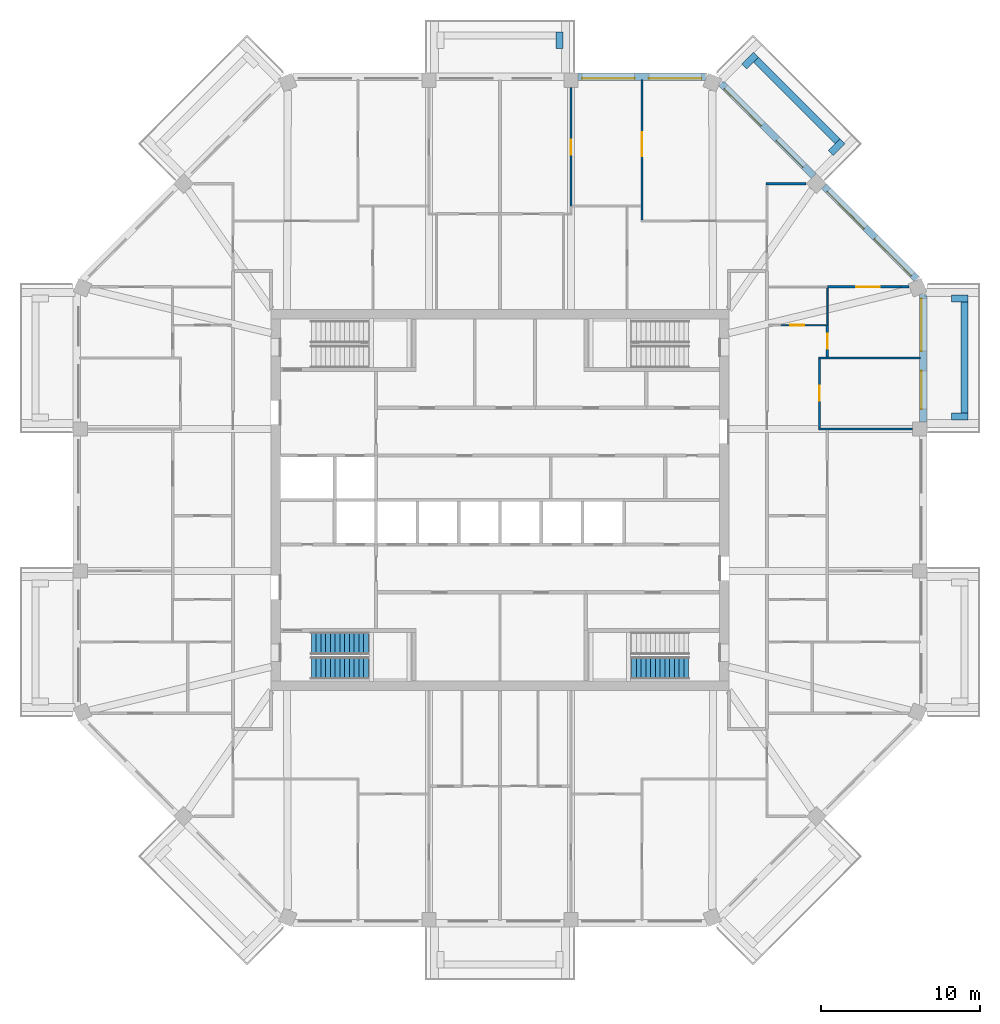
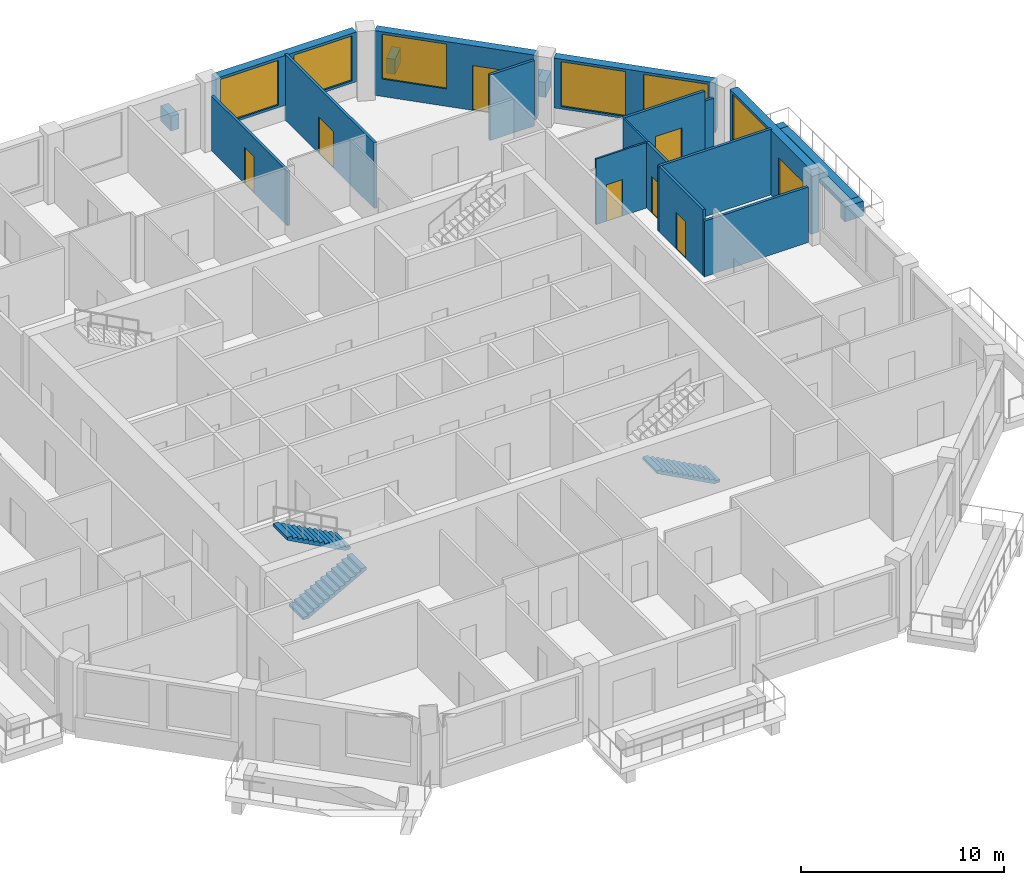
# One storey, part 9 of 12: 22 walls, 8 doors, 6 windows, 3 stair flights, 14 openings, 2 elements without a shape of their own.
"""IFC4 building model written with IfcOpenShell, lengths in metres."""

from ifc_helpers import new_model, si_unit, direction, frame, frame_2d, origin, place, context, subcontext, project, spatial, polyline, rectangle, outline, extrude, material, layer, layer_set, type_object, element, fill, aggregate, save


model = new_model("IFC4")

# Units and contexts
model_context = context("Model", 3, precision=1e-05, world=origin(), true_north=direction((0.0, 1.0)))
body_context = subcontext(model_context, "Body", "Model", "MODEL_VIEW")
ifc_project = project(units=[si_unit("LENGTHUNIT", "METRE"), si_unit("AREAUNIT", "SQUARE_METRE"), si_unit("VOLUMEUNIT", "CUBIC_METRE"), si_unit("PLANEANGLEUNIT", "RADIAN"), si_unit("MASSUNIT", "GRAM", prefix="KILO")], contexts=[model_context])

# Site, building, storey
site_placement = place(None, origin())
site = spatial("IfcSite", under=ifc_project, at=site_placement, CompositionType="ELEMENT")
building_placement = place(site_placement, origin())
building = spatial("IfcBuilding", under=site, at=building_placement, Name="Msitu Wima Residences", CompositionType="ELEMENT")
storey_placement = place(building_placement, frame((0.0, 0.0, 243.300048828125)))
storey = spatial("IfcBuildingStorey", under=building, at=storey_placement, Name="L56", CompositionType="ELEMENT", Elevation=243.300048828125)

# Walls
ifc_material_1 = material(Name="Facing brick")
ifc_layer_1 = layer(ifc_material_1, 0.06494140625, Name="Facing brick")
ifc_material_2 = material(Name="Concrete C40/50", Category="concrete")
ifc_layer_2 = layer(ifc_material_2, 0.156005859375, Name="Concrete C40/50")
ifc_material_3 = material(Name="Waterproofing membrane")
ifc_layer_3 = layer(ifc_material_3, 0.00390625, Name="Waterproofing membrane")
ifc_material_4 = material(Name="Planting soil and planting")
ifc_layer_4 = layer(ifc_material_4, 0.22509765625, Name="Planting soil and planting")
ifc_layer_set_1 = layer_set([ifc_layer_1, ifc_layer_2, ifc_layer_3, ifc_layer_4], Name="Concrete C40/50")
wall_type_1 = type_object("IfcWallType", Name="Balcony planter PLANTER PL450", PredefinedType="USERDEFINED", material=ifc_layer_set_1)
wall_1_placement = place(storey_placement, frame((29.22509765625, 5.468505859375, 0.0), z_axis=(0.0, 0.0, 1.0), x_axis=(0.0, 1.0, 0.0)))
element("IfcWall", 1, at=wall_1_placement, inside=storey, type_object=wall_type_1, Name="Balcony planter E2 L56", ObjectType="PLANTER", PredefinedType="USERDEFINED", context=body_context, shape_type="SweptSolid", body=[
    extrude(rectangle(XDim=6.9873046875, YDim=0.449951171875, at=frame_2d((3.49365234375, 0.0))), origin(), (0.0, 0.0, 1.0), 0.89990234375),
])
for number, where, z_axis, x_axis, name in (
    (2, (28.39990234375, 5.24365234375, 0.0), (0.0, 0.0, 1.0), (1.0, 0.0, 0.0), "Balcony planter E2 L56"),
    (3, (28.39990234375, 12.680908203125, 0.0), (0.0, 0.0, 1.0), (1.0, 0.0, 0.0), "Balcony planter E2 L56"),
):
    element("IfcWall", number, at=place(storey_placement, frame(where, z_axis=z_axis, x_axis=x_axis)), inside=storey, type_object=wall_type_1, Name=name, ObjectType="PLANTER", PredefinedType="USERDEFINED", context=body_context, shape_type="SweptSolid", body=[
        extrude(rectangle(XDim=1.050048828125, YDim=0.449951171875, at=frame_2d((0.52490234375, 0.0))), origin(), (0.0, 0.0, 1.0), 0.89990234375),
    ])
wall_2_placement = place(storey_placement, frame((21.228759765625, 22.572265625, 0.0), z_axis=(0.0, 0.0, 1.0), x_axis=(-0.707106781187, 0.707106781187, 0.0)))
element("IfcWall", 4, at=wall_2_placement, inside=storey, type_object=wall_type_1, Name="Balcony planter NE1 L56", ObjectType="PLANTER", PredefinedType="USERDEFINED", context=body_context, shape_type="SweptSolid", body=[
    extrude(rectangle(XDim=7.23828125, YDim=0.449951171875, at=frame_2d((3.619140625, 0.0))), origin(), (0.0, 0.0, 1.0), 0.89990234375),
])
for number, where, z_axis, x_axis, name in (
    (5, (20.804443359375, 21.829833984375, 0.0), (0.0, 0.0, 1.0), (0.707106781187, 0.707106781187, 0.0), "Balcony planter NE1 L56"),
    (6, (15.3681640625, 27.26611328125, 0.0), (0.0, 0.0, 1.0), (0.706990528533, 0.707223014731, 0.0), "Balcony planter NE1 L56"),
    (7, (3.74365234375, 28.39990234375, 0.0), (0.0, 0.0, 1.0), (0.0, 1.0, 0.0), "Balcony planter N1 L56"),
):
    element("IfcWall", number, at=place(storey_placement, frame(where, z_axis=z_axis, x_axis=x_axis)), inside=storey, type_object=wall_type_1, Name=name, ObjectType="PLANTER", PredefinedType="USERDEFINED", context=body_context, shape_type="SweptSolid", body=[
        extrude(rectangle(XDim=1.050048828125, YDim=0.449951171875, at=frame_2d((0.52490234375, 0.0))), origin(), (0.0, 0.0, 1.0), 0.89990234375),
    ])

# Wall, openings, door, window
ifc_material_5 = material(Name="Brick (red buff mix)", Category="masonry")
ifc_layer_5 = layer(ifc_material_5, 0.449951171875)
ifc_layer_set_2 = layer_set([ifc_layer_5], Name="Brick (red buff mix)")
wall_type_2 = type_object("IfcWallType", Name="Brick infill wall BW450", PredefinedType="SOLIDWALL", material=ifc_layer_set_2)
wall_3_placement = place(storey_placement, frame((26.625, 4.918701171875, 0.0), z_axis=(0.0, 0.0, 1.0), x_axis=(0.0, 1.0, 0.0)))
wall_3 = element("IfcWall", 8, at=wall_3_placement, inside=storey, type_object=wall_type_2, Name="Brick infill wall L56 E2", PredefinedType="SOLIDWALL", context=body_context, shape_type="SweptSolid", body=[
    extrude(rectangle(XDim=8.0, YDim=0.449951171875, at=frame_2d((4.0, 0.0))), origin(), (0.0, 0.0, 1.0), 3.89990234375),
])
opening_1_placement = place(wall_3_placement, frame((0.800048828125, 0.0, 0.0)))
opening_1 = element("IfcOpeningElement", 9, at=opening_1_placement, cuts=wall_3, Name="Opening D55-56.002", PredefinedType="OPENING", context=body_context, shape_type="SweptSolid", body=[
    extrude(rectangle(XDim=2.39990234375, YDim=2.699951171875, at=frame_2d((1.199951171875, 1.35009765625))), frame((0.0, 0.23486328125, 0.0), z_axis=(0.0, -1.0, 0.0), x_axis=(1.0, 0.0, 0.0)), (0.0, 0.0, 1.0), 0.469970703125),
])
opening_2_placement = place(wall_3_placement, frame((4.4501953125, 0.0, 1.050048828125)))
opening_2 = element("IfcOpeningElement", 10, at=opening_2_placement, cuts=wall_3, Name="Opening W55-56.004", PredefinedType="OPENING", context=body_context, shape_type="SweptSolid", body=[
    extrude(rectangle(XDim=3.300048828125, YDim=2.699951171875, at=frame_2d((1.64990234375, 1.35009765625))), frame((0.0, 0.23486328125, 0.0), z_axis=(0.0, -1.0, 0.0), x_axis=(1.0, 0.0, 0.0)), (0.0, 0.0, 1.0), 0.469970703125),
])
ifc_material_6 = material(Name="Anodised aluminium, bronze finish, clear low-emissivity double glazing", Category="aluminium")
door_type_1 = type_object("IfcDoorType", Name="Balcony door D2400x2700", OperationType="SLIDING_TO_LEFT", PredefinedType="DOOR", material=ifc_material_6)
door_1_placement = place(opening_1_placement, origin())
door_1 = element("IfcDoor", 11, at=door_1_placement, inside=storey, type_object=door_type_1, Name="Balcony door L56 E2", OperationType="SINGLE_SWING_LEFT", OverallHeight=2.699951171875, OverallWidth=2.39990234375, PredefinedType="DOOR", context=body_context, shape_type="SweptSolid", body=[
    extrude(rectangle(XDim=2.39990234375, YDim=2.699951171875, at=frame_2d((1.199951171875, 1.35009765625))), frame((0.0, 0.1298828125, 0.0), z_axis=(0.0, -1.0, 0.0), x_axis=(1.0, 0.0, 0.0)), (0.0, 0.0, 1.0), 0.050048828125),
])
fill(opening_1, door_1)
window_type = type_object("IfcWindowType", Name="Window W3300x2700", PartitioningType="DOUBLE_PANEL_VERTICAL", PredefinedType="WINDOW", material=ifc_material_6)
window_1_placement = place(opening_2_placement, origin())
window_1 = element("IfcWindow", 12, at=window_1_placement, inside=storey, type_object=window_type, Name="Window L56 E2.2", OverallHeight=2.699951171875, OverallWidth=3.300048828125, PartitioningType="SINGLE_PANEL", PredefinedType="WINDOW", context=body_context, shape_type="SweptSolid", body=[
    extrude(rectangle(XDim=3.300048828125, YDim=2.699951171875, at=frame_2d((1.64990234375, 1.35009765625))), frame((0.0, 0.135009765625, 0.0), z_axis=(0.0, -1.0, 0.0), x_axis=(1.0, 0.0, 0.0)), (0.0, 0.0, 1.0), 0.06005859375),
])
fill(opening_2, window_1)

# Wall, openings, windows
wall_4_placement = place(storey_placement, frame((26.214599609375, 13.909423828125, 0.89990234375), z_axis=(0.0, 0.0, 1.0), x_axis=(-0.707106781187, 0.707106781187, 0.0)))
wall_4 = element("IfcWall", 13, at=wall_4_placement, inside=storey, type_object=wall_type_2, Name="Brick infill wall L56 NE0", PredefinedType="SOLIDWALL", context=body_context, shape_type="SweptSolid", body=[
    extrude(rectangle(XDim=8.251220703125, YDim=0.449951171875, at=frame_2d((4.12548828125, 0.0))), origin(), (0.0, 0.0, 1.0), 3.0),
])
opening_3_placement = place(wall_4_placement, frame((0.37548828125, 0.0, 0.14990234375)))
opening_3 = element("IfcOpeningElement", 14, at=opening_3_placement, cuts=wall_4, Name="Opening W55-56.010", PredefinedType="OPENING", context=body_context, shape_type="SweptSolid", body=[
    extrude(rectangle(XDim=3.300048828125, YDim=2.699951171875, at=frame_2d((1.64990234375, 1.35009765625))), frame((0.0, 0.23486328125, 0.0), z_axis=(0.0, -1.0, 0.0), x_axis=(1.0, 0.0, 0.0)), (0.0, 0.0, 1.0), 0.469970703125),
])
opening_4_placement = place(wall_4_placement, frame((4.57568359375, 0.0, 0.14990234375)))
opening_4 = element("IfcOpeningElement", 15, at=opening_4_placement, cuts=wall_4, Name="Opening W55-56.011", PredefinedType="OPENING", context=body_context, shape_type="SweptSolid", body=[
    extrude(rectangle(XDim=3.300048828125, YDim=2.699951171875, at=frame_2d((1.64990234375, 1.35009765625))), frame((0.0, 0.23486328125, 0.0), z_axis=(0.0, -1.0, 0.0), x_axis=(1.0, 0.0, 0.0)), (0.0, 0.0, 1.0), 0.469970703125),
])
window_2_placement = place(opening_3_placement, origin())
window_2 = element("IfcWindow", 16, at=window_2_placement, inside=storey, type_object=window_type, Name="Window L56 NE0.1", OverallHeight=2.699951171875, OverallWidth=3.300048828125, PartitioningType="SINGLE_PANEL", PredefinedType="WINDOW", context=body_context, shape_type="SweptSolid", body=[
    extrude(rectangle(XDim=3.300048828125, YDim=2.699951171875, at=frame_2d((1.64990234375, 1.35009765625))), frame((0.0, 0.135009765625, 0.0), z_axis=(0.0, -1.0, 0.0), x_axis=(1.0, 0.0, 0.0)), (0.0, 0.0, 1.0), 0.06005859375),
])
fill(opening_3, window_2)
window_3_placement = place(opening_4_placement, origin())
window_3 = element("IfcWindow", 17, at=window_3_placement, inside=storey, type_object=window_type, Name="Window L56 NE0.2", OverallHeight=2.699951171875, OverallWidth=3.300048828125, PartitioningType="SINGLE_PANEL", PredefinedType="WINDOW", context=body_context, shape_type="SweptSolid", body=[
    extrude(rectangle(XDim=3.300048828125, YDim=2.699951171875, at=frame_2d((1.64990234375, 1.35009765625))), frame((0.0, 0.135009765625, 0.0), z_axis=(0.0, -1.0, 0.0), x_axis=(1.0, 0.0, 0.0)), (0.0, 0.0, 1.0), 0.06005859375),
])
fill(opening_4, window_3)

# Wall, openings, door, window
wall_5_placement = place(storey_placement, frame((19.743896484375, 20.380126953125, 0.0), z_axis=(0.0, 0.0, 1.0), x_axis=(-0.707106781187, 0.707106781187, 0.0)))
wall_5 = element("IfcWall", 18, at=wall_5_placement, inside=storey, type_object=wall_type_2, Name="Brick infill wall L56 NE1", PredefinedType="SOLIDWALL", context=body_context, shape_type="SweptSolid", body=[
    extrude(rectangle(XDim=8.251220703125, YDim=0.449951171875, at=frame_2d((4.12548828125, 0.0))), origin(), (0.0, 0.0, 1.0), 3.89990234375),
])
opening_5_placement = place(wall_5_placement, frame((0.86279296875, 0.0, 0.0)))
opening_5 = element("IfcOpeningElement", 19, at=opening_5_placement, cuts=wall_5, Name="Opening D55-56.004", PredefinedType="OPENING", context=body_context, shape_type="SweptSolid", body=[
    extrude(rectangle(XDim=2.39990234375, YDim=2.699951171875, at=frame_2d((1.199951171875, 1.35009765625))), frame((0.0, 0.23486328125, 0.0), z_axis=(0.0, -1.0, 0.0), x_axis=(1.0, 0.0, 0.0)), (0.0, 0.0, 1.0), 0.469970703125),
])
opening_6_placement = place(wall_5_placement, frame((4.57568359375, 0.0, 1.050048828125)))
opening_6 = element("IfcOpeningElement", 20, at=opening_6_placement, cuts=wall_5, Name="Opening W55-56.012", PredefinedType="OPENING", context=body_context, shape_type="SweptSolid", body=[
    extrude(rectangle(XDim=3.300048828125, YDim=2.699951171875, at=frame_2d((1.64990234375, 1.35009765625))), frame((0.0, 0.23486328125, 0.0), z_axis=(0.0, -1.0, 0.0), x_axis=(1.0, 0.0, 0.0)), (0.0, 0.0, 1.0), 0.469970703125),
])
door_2_placement = place(opening_5_placement, origin())
door_2 = element("IfcDoor", 21, at=door_2_placement, inside=storey, type_object=door_type_1, Name="Balcony door L56 NE1", OperationType="SINGLE_SWING_LEFT", OverallHeight=2.699951171875, OverallWidth=2.39990234375, PredefinedType="DOOR", context=body_context, shape_type="SweptSolid", body=[
    extrude(rectangle(XDim=2.39990234375, YDim=2.699951171875, at=frame_2d((1.199951171875, 1.35009765625))), frame((0.0, 0.1298828125, 0.0), z_axis=(0.0, -1.0, 0.0), x_axis=(1.0, 0.0, 0.0)), (0.0, 0.0, 1.0), 0.050048828125),
])
fill(opening_5, door_2)
window_4_placement = place(opening_6_placement, origin())
window_4 = element("IfcWindow", 22, at=window_4_placement, inside=storey, type_object=window_type, Name="Window L56 NE1.2", OverallHeight=2.699951171875, OverallWidth=3.300048828125, PartitioningType="SINGLE_PANEL", PredefinedType="WINDOW", context=body_context, shape_type="SweptSolid", body=[
    extrude(rectangle(XDim=3.300048828125, YDim=2.699951171875, at=frame_2d((1.64990234375, 1.35009765625))), frame((0.0, 0.135009765625, 0.0), z_axis=(0.0, -1.0, 0.0), x_axis=(1.0, 0.0, 0.0)), (0.0, 0.0, 1.0), 0.06005859375),
])
fill(opening_6, window_4)

# Wall, openings, windows
wall_6_placement = place(storey_placement, frame((12.918701171875, 26.625, 0.89990234375), z_axis=(0.0, 0.0, 1.0), x_axis=(-1.0, 0.0, 0.0)))
wall_6 = element("IfcWall", 23, at=wall_6_placement, inside=storey, type_object=wall_type_2, Name="Brick infill wall L56 N0", PredefinedType="SOLIDWALL", context=body_context, shape_type="SweptSolid", body=[
    extrude(rectangle(XDim=8.0, YDim=0.449951171875, at=frame_2d((4.0, 0.0))), origin(), (0.0, 0.0, 1.0), 3.0),
])
opening_7_placement = place(wall_6_placement, frame((0.25, 0.0, 0.14990234375)))
opening_7 = element("IfcOpeningElement", 24, at=opening_7_placement, cuts=wall_6, Name="Opening W55-56.005", PredefinedType="OPENING", context=body_context, shape_type="SweptSolid", body=[
    extrude(rectangle(XDim=3.300048828125, YDim=2.699951171875, at=frame_2d((1.64990234375, 1.35009765625))), frame((0.0, 0.23486328125, 0.0), z_axis=(0.0, -1.0, 0.0), x_axis=(1.0, 0.0, 0.0)), (0.0, 0.0, 1.0), 0.469970703125),
])
opening_8_placement = place(wall_6_placement, frame((4.4501953125, 0.0, 0.14990234375)))
opening_8 = element("IfcOpeningElement", 25, at=opening_8_placement, cuts=wall_6, Name="Opening W55-56.006", PredefinedType="OPENING", context=body_context, shape_type="SweptSolid", body=[
    extrude(rectangle(XDim=3.300048828125, YDim=2.699951171875, at=frame_2d((1.64990234375, 1.35009765625))), frame((0.0, 0.23486328125, 0.0), z_axis=(0.0, -1.0, 0.0), x_axis=(1.0, 0.0, 0.0)), (0.0, 0.0, 1.0), 0.469970703125),
])
window_5_placement = place(opening_7_placement, origin())
window_5 = element("IfcWindow", 26, at=window_5_placement, inside=storey, type_object=window_type, Name="Window L56 N0.1", OverallHeight=2.699951171875, OverallWidth=3.300048828125, PartitioningType="SINGLE_PANEL", PredefinedType="WINDOW", context=body_context, shape_type="SweptSolid", body=[
    extrude(rectangle(XDim=3.300048828125, YDim=2.699951171875, at=frame_2d((1.64990234375, 1.35009765625))), frame((0.0, 0.135009765625, 0.0), z_axis=(0.0, -1.0, 0.0), x_axis=(1.0, 0.0, 0.0)), (0.0, 0.0, 1.0), 0.06005859375),
])
fill(opening_7, window_5)
window_6_placement = place(opening_8_placement, origin())
window_6 = element("IfcWindow", 27, at=window_6_placement, inside=storey, type_object=window_type, Name="Window L56 N0.2", OverallHeight=2.699951171875, OverallWidth=3.300048828125, PartitioningType="SINGLE_PANEL", PredefinedType="WINDOW", context=body_context, shape_type="SweptSolid", body=[
    extrude(rectangle(XDim=3.300048828125, YDim=2.699951171875, at=frame_2d((1.64990234375, 1.35009765625))), frame((0.0, 0.135009765625, 0.0), z_axis=(0.0, -1.0, 0.0), x_axis=(1.0, 0.0, 0.0)), (0.0, 0.0, 1.0), 0.06005859375),
])
fill(opening_8, window_6)

# Wall, opening, door
ifc_material_7 = material(Name="Plaster")
ifc_layer_6 = layer(ifc_material_7, 0.011962890625, Name="Plaster")
ifc_material_8 = material(Name="Concrete blockwork", Category="masonry")
ifc_layer_7 = layer(ifc_material_8, 0.1259765625, Name="Concrete blockwork")
ifc_layer_8 = layer(ifc_material_7, 0.011962890625, Name="Plaster")
ifc_layer_set_3 = layer_set([ifc_layer_6, ifc_layer_7, ifc_layer_8], Name="Concrete blockwork")
wall_type_3 = type_object("IfcWallType", Name="Partition PW150", PredefinedType="PARTITIONING", material=ifc_layer_set_3)
wall_7_placement = place(storey_placement, frame((4.46875, 18.47998046875, 0.0), z_axis=(0.0, 0.0, 1.0), x_axis=(0.0, 1.0, 0.0)))
wall_7 = element("IfcWall", 28, at=wall_7_placement, inside=storey, type_object=wall_type_3, Name="Partition", PredefinedType="PARTITIONING", context=body_context, shape_type="SweptSolid", body=[
    extrude(rectangle(XDim=7.469970703125, YDim=0.14990234375, at=frame_2d((3.73486328125, 0.0))), origin(), (0.0, 0.0, 1.0), 3.300048828125),
])
opening_9_placement = place(wall_7_placement, frame((3.25, 0.0, 0.0)))
opening_9 = element("IfcOpeningElement", 29, at=opening_9_placement, cuts=wall_7, Name="Opening D55-56.018", PredefinedType="OPENING", context=body_context, shape_type="SweptSolid", body=[
    extrude(rectangle(XDim=0.949951171875, YDim=2.199951171875, at=frame_2d((0.47509765625, 1.10009765625))), frame((0.0, 0.0849609375, 0.0), z_axis=(0.0, -1.0, 0.0), x_axis=(1.0, 0.0, 0.0)), (0.0, 0.0, 1.0), 0.169921875),
])
ifc_material_9 = material(Name="Timber flush door", Category="wood")
door_type_2 = type_object("IfcDoorType", Name="Room door D12 950x2200", OperationType="SINGLE_SWING_LEFT", PredefinedType="DOOR", material=ifc_material_9)
door_3_placement = place(opening_9_placement, origin())
door_3 = element("IfcDoor", 30, at=door_3_placement, inside=storey, type_object=door_type_2, Name="Room door", OperationType="SINGLE_SWING_LEFT", OverallHeight=2.199951171875, OverallWidth=0.949951171875, PredefinedType="DOOR", context=body_context, shape_type="SweptSolid", body=[
    extrude(rectangle(XDim=0.949951171875, YDim=2.199951171875, at=frame_2d((0.47509765625, 1.10009765625))), frame((0.0, 0.02490234375, 0.0), z_axis=(0.0, -1.0, 0.0), x_axis=(1.0, 0.0, 0.0)), (0.0, 0.0, 1.0), 0.050048828125),
])
fill(opening_9, door_3)

wall_8_placement = place(storey_placement, frame((8.937255859375, 17.625, 0.0), z_axis=(0.0, 0.0, 1.0), x_axis=(0.0, 1.0, 0.0)))
wall_8 = element("IfcWall", 31, at=wall_8_placement, inside=storey, type_object=wall_type_3, Name="Partition", PredefinedType="PARTITIONING", context=body_context, shape_type="SweptSolid", body=[
    extrude(rectangle(XDim=8.830078125, YDim=0.14990234375, at=frame_2d((4.4150390625, 0.0))), origin(), (0.0, 0.0, 1.0), 3.949951171875),
])
opening_10_placement = place(wall_8_placement, frame((4.0, 0.0, 0.0)))
opening_10 = element("IfcOpeningElement", 32, at=opening_10_placement, cuts=wall_8, Name="Opening D55-56.015", PredefinedType="OPENING", context=body_context, shape_type="SweptSolid", body=[
    extrude(rectangle(XDim=1.5, YDim=2.199951171875, at=frame_2d((0.75, 1.10009765625))), frame((0.0, 0.0849609375, 0.0), z_axis=(0.0, -1.0, 0.0), x_axis=(1.0, 0.0, 0.0)), (0.0, 0.0, 1.0), 0.169921875),
])
ifc_material_10 = material(Name="Timber double door", Category="wood")
door_type_3 = type_object("IfcDoorType", Name="Double door D04 1500x2200", OperationType="DOUBLE_DOOR_SINGLE_SWING", PredefinedType="DOOR", material=ifc_material_10)
door_4_placement = place(opening_10_placement, origin())
door_4 = element("IfcDoor", 33, at=door_4_placement, inside=storey, type_object=door_type_3, Name="Double door", OperationType="DOUBLE_DOOR_SINGLE_SWING", OverallHeight=2.199951171875, OverallWidth=1.5, PredefinedType="DOOR", context=body_context, shape_type="SweptSolid", body=[
    extrude(rectangle(XDim=1.5, YDim=2.199951171875, at=frame_2d((0.75, 1.10009765625))), frame((0.0, 0.02490234375, 0.0), z_axis=(0.0, -1.0, 0.0), x_axis=(1.0, 0.0, 0.0)), (0.0, 0.0, 1.0), 0.050048828125),
])
fill(opening_10, door_4)

# Wall
wall_9_placement = place(storey_placement, frame((16.72509765625, 19.90283203125, 0.0), z_axis=(0.0, 0.0, 1.0), x_axis=(1.0, 0.0, 0.0)))
element("IfcWall", 34, at=wall_9_placement, inside=storey, type_object=wall_type_3, Name="Partition", PredefinedType="PARTITIONING", context=body_context, shape_type="SweptSolid", body=[
    extrude(rectangle(XDim=2.54150390625, YDim=0.14990234375, at=frame_2d((1.270751953125, 0.0))), origin(), (0.0, 0.0, 1.0), 3.949951171875),
])

# Wall, opening, door
wall_10_placement = place(storey_placement, frame((20.10009765625, 4.543701171875, 0.0), z_axis=(0.0, 0.0, 1.0), x_axis=(0.0, 1.0, 0.0)))
wall_10 = element("IfcWall", 35, at=wall_10_placement, inside=storey, type_object=wall_type_3, Name="Partition", PredefinedType="PARTITIONING", context=body_context, shape_type="SweptSolid", body=[
    extrude(rectangle(XDim=4.318603515625, YDim=0.14990234375, at=frame_2d((2.1591796875, 0.0))), origin(), (0.0, 0.0, 1.0), 3.949951171875),
])
opening_11_placement = place(wall_10_placement, frame((1.699951171875, 0.0, 0.0)))
opening_11 = element("IfcOpeningElement", 36, at=opening_11_placement, cuts=wall_10, Name="Opening D55-56.029", PredefinedType="OPENING", context=body_context, shape_type="SweptSolid", body=[
    extrude(rectangle(XDim=0.949951171875, YDim=2.199951171875, at=frame_2d((0.47509765625, 1.10009765625))), frame((0.0, 0.0849609375, 0.0), z_axis=(0.0, -1.0, 0.0), x_axis=(1.0, 0.0, 0.0)), (0.0, 0.0, 1.0), 0.169921875),
])
door_5_placement = place(opening_11_placement, origin())
door_5 = element("IfcDoor", 37, at=door_5_placement, inside=storey, type_object=door_type_2, Name="Room door", OperationType="SINGLE_SWING_LEFT", OverallHeight=2.199951171875, OverallWidth=0.949951171875, PredefinedType="DOOR", context=body_context, shape_type="SweptSolid", body=[
    extrude(rectangle(XDim=0.949951171875, YDim=2.199951171875, at=frame_2d((0.47509765625, 1.10009765625))), frame((0.0, 0.02490234375, 0.0), z_axis=(0.0, -1.0, 0.0), x_axis=(1.0, 0.0, 0.0)), (0.0, 0.0, 1.0), 0.050048828125),
])
fill(opening_11, door_5)

# Walls
wall_11_placement = place(storey_placement, frame((20.02490234375, 4.46875, 0.0), z_axis=(0.0, 0.0, 1.0), x_axis=(1.0, 0.0, 0.0)))
element("IfcWall", 38, at=wall_11_placement, inside=storey, type_object=wall_type_3, Name="Partition", PredefinedType="PARTITIONING", context=body_context, shape_type="SweptSolid", body=[
    extrude(rectangle(XDim=5.925048828125, YDim=0.14990234375, at=frame_2d((2.96240234375, 0.0))), origin(), (0.0, 0.0, 1.0), 3.349853515625),
])
wall_12_placement = place(storey_placement, frame((20.02490234375, 8.937255859375, 0.0), z_axis=(0.0, 0.0, 1.0), x_axis=(1.0, 0.0, 0.0)))
element("IfcWall", 39, at=wall_12_placement, inside=storey, type_object=wall_type_3, Name="Partition", PredefinedType="PARTITIONING", context=body_context, shape_type="SweptSolid", body=[
    extrude(rectangle(XDim=6.43017578125, YDim=0.14990234375, at=frame_2d((3.215087890625, 0.0))), origin(), (0.0, 0.0, 1.0), 3.949951171875),
])

# Wall, opening, door
wall_13_placement = place(storey_placement, frame((20.60009765625, 9.01220703125, 0.0), z_axis=(0.0, 0.0, 1.0), x_axis=(0.0, 1.0, 0.0)))
wall_13 = element("IfcWall", 40, at=wall_13_placement, inside=storey, type_object=wall_type_3, Name="Partition", PredefinedType="PARTITIONING", context=body_context, shape_type="SweptSolid", body=[
    extrude(rectangle(XDim=1.9677734375, YDim=0.14990234375, at=frame_2d((0.98388671875, 0.0))), origin(), (0.0, 0.0, 1.0), 3.949951171875),
])
opening_12_placement = place(wall_13_placement, frame((0.5, 0.0, 0.0)))
opening_12 = element("IfcOpeningElement", 41, at=opening_12_placement, cuts=wall_13, Name="Opening D55-56.030", PredefinedType="OPENING", context=body_context, shape_type="SweptSolid", body=[
    extrude(rectangle(XDim=0.949951171875, YDim=2.199951171875, at=frame_2d((0.47509765625, 1.10009765625))), frame((0.0, 0.0849609375, 0.0), z_axis=(0.0, -1.0, 0.0), x_axis=(1.0, 0.0, 0.0)), (0.0, 0.0, 1.0), 0.169921875),
])
door_6_placement = place(opening_12_placement, origin())
door_6 = element("IfcDoor", 42, at=door_6_placement, inside=storey, type_object=door_type_2, Name="Room door", OperationType="SINGLE_SWING_RIGHT", OverallHeight=2.199951171875, OverallWidth=0.949951171875, PredefinedType="DOOR", context=body_context, shape_type="SweptSolid", body=[
    extrude(rectangle(XDim=0.949951171875, YDim=2.199951171875, at=frame_2d((0.47509765625, 1.10009765625))), frame((0.0, 0.02490234375, 0.0), z_axis=(0.0, -1.0, 0.0), x_axis=(1.0, 0.0, 0.0)), (0.0, 0.0, 1.0), 0.050048828125),
])
fill(opening_12, door_6)

wall_14_placement = place(storey_placement, frame((20.60009765625, 13.406005859375, 0.0), z_axis=(0.0, 0.0, 1.0), x_axis=(1.0, 0.0, 0.0)))
wall_14 = element("IfcWall", 43, at=wall_14_placement, inside=storey, type_object=wall_type_3, Name="Partition", PredefinedType="PARTITIONING", context=body_context, shape_type="SweptSolid", body=[
    extrude(rectangle(XDim=4.6240234375, YDim=0.14990234375, at=frame_2d((2.31201171875, 0.0))), origin(), (0.0, 0.0, 1.0), 3.949951171875),
])
opening_13_placement = place(wall_14_placement, frame((1.800048828125, 0.0, 0.0)))
opening_13 = element("IfcOpeningElement", 44, at=opening_13_placement, cuts=wall_14, Name="Opening D55-56.031", PredefinedType="OPENING", context=body_context, shape_type="SweptSolid", body=[
    extrude(rectangle(XDim=1.5, YDim=2.199951171875, at=frame_2d((0.75, 1.10009765625))), frame((0.0, 0.0849609375, 0.0), z_axis=(0.0, -1.0, 0.0), x_axis=(1.0, 0.0, 0.0)), (0.0, 0.0, 1.0), 0.169921875),
])
door_7_placement = place(opening_13_placement, origin())
door_7 = element("IfcDoor", 45, at=door_7_placement, inside=storey, type_object=door_type_3, Name="Double door", OperationType="DOUBLE_DOOR_SINGLE_SWING", OverallHeight=2.199951171875, OverallWidth=1.5, PredefinedType="DOOR", context=body_context, shape_type="SweptSolid", body=[
    extrude(rectangle(XDim=1.5, YDim=2.199951171875, at=frame_2d((0.75, 1.10009765625))), frame((0.0, 0.02490234375, 0.0), z_axis=(0.0, -1.0, 0.0), x_axis=(1.0, 0.0, 0.0)), (0.0, 0.0, 1.0), 0.050048828125),
])
fill(opening_13, door_7)

# Wall
wall_15_placement = place(storey_placement, frame((25.22412109375, 13.406005859375, 0.0), z_axis=(0.0, 0.0, 1.0), x_axis=(1.0, 0.0, 0.0)))
element("IfcWall", 46, at=wall_15_placement, inside=storey, type_object=wall_type_3, Name="Partition", PredefinedType="PARTITIONING", context=body_context, shape_type="SweptSolid", body=[
    extrude(rectangle(XDim=0.507080078125, YDim=0.14990234375, at=frame_2d((0.25341796875, 0.0))), origin(), (0.0, 0.0, 1.0), 3.349853515625),
])

# Wall, opening, door
ifc_material_11 = material(Name="Ceramic tiles")
ifc_layer_9 = layer(ifc_material_11, 0.008056640625, Name="Ceramic tiles")
ifc_material_12 = material(Name="Moisture-resistant board")
ifc_layer_10 = layer(ifc_material_12, 0.012451171875, Name="Moisture-resistant board")
ifc_material_13 = material(Name="Light-gauge stud framing with mineral wool")
ifc_layer_11 = layer(ifc_material_13, 0.06689453125, Name="Light-gauge stud framing with mineral wool")
ifc_layer_12 = layer(ifc_material_12, 0.012451171875, Name="Moisture-resistant board")
ifc_layer_set_4 = layer_set([ifc_layer_9, ifc_layer_10, ifc_layer_11, ifc_layer_12], Name="Light-gauge stud framing with mineral wool")
wall_type_4 = type_object("IfcWallType", Name="Wet wall PW100", PredefinedType="PARTITIONING", material=ifc_layer_set_4)
wall_16_placement = place(storey_placement, frame((17.65380859375, 11.0, 0.0), z_axis=(0.0, 0.0, 1.0), x_axis=(1.0, 0.0, 0.0)))
wall_16 = element("IfcWall", 47, at=wall_16_placement, inside=storey, type_object=wall_type_4, Name="Wet wall", PredefinedType="PARTITIONING", context=body_context, shape_type="SweptSolid", body=[
    extrude(rectangle(XDim=2.87109375, YDim=0.10009765625, at=frame_2d((1.435546875, 0.0))), origin(), (0.0, 0.0, 1.0), 3.949951171875),
])
opening_14_placement = place(wall_16_placement, frame((0.59619140625, 0.0, 0.0)))
opening_14 = element("IfcOpeningElement", 48, at=opening_14_placement, cuts=wall_16, Name="Opening D55-56.023", PredefinedType="OPENING", context=body_context, shape_type="SweptSolid", body=[
    extrude(rectangle(XDim=0.89990234375, YDim=2.199951171875, at=frame_2d((0.449951171875, 1.10009765625))), frame((0.0, 0.06005859375, 0.0), z_axis=(0.0, -1.0, 0.0), x_axis=(1.0, 0.0, 0.0)), (0.0, 0.0, 1.0), 0.1201171875),
])
ifc_material_14 = material(Name="Timber flush door, moisture resistant", Category="wood")
door_type_4 = type_object("IfcDoorType", Name="Bathroom door D03 900x2200", OperationType="SINGLE_SWING_LEFT", PredefinedType="DOOR", material=ifc_material_14)
door_8_placement = place(opening_14_placement, origin())
door_8 = element("IfcDoor", 49, at=door_8_placement, inside=storey, type_object=door_type_4, Name="Bathroom door", OperationType="SINGLE_SWING_LEFT", OverallHeight=2.199951171875, OverallWidth=0.89990234375, PredefinedType="DOOR", context=body_context, shape_type="SweptSolid", body=[
    extrude(rectangle(XDim=0.89990234375, YDim=2.199951171875, at=frame_2d((0.449951171875, 1.10009765625))), frame((0.0, 0.02490234375, 0.0), z_axis=(0.0, -1.0, 0.0), x_axis=(1.0, 0.0, 0.0)), (0.0, 0.0, 1.0), 0.050048828125),
])
fill(opening_14, door_8)

# Wall
wall_17_placement = place(storey_placement, frame((20.60009765625, 10.97998046875, 0.0), z_axis=(0.0, 0.0, 1.0), x_axis=(0.0, 1.0, 0.0)))
element("IfcWall", 50, at=wall_17_placement, inside=storey, type_object=wall_type_4, Name="Wet wall", PredefinedType="PARTITIONING", context=body_context, shape_type="SweptSolid", body=[
    extrude(rectangle(XDim=2.350830078125, YDim=0.10009765625, at=frame_2d((1.17529296875, 0.0))), origin(), (0.0, 0.0, 1.0), 3.949951171875),
])

# Stair, stair flights
stair_type = type_object("IfcStairType", Name="Exit stair ES1615-140", PredefinedType="HALF_TURN_STAIR", material=ifc_material_2)
stair_1_placement = place(storey_placement, origin())
stair_1 = element("IfcStair", 51, at=stair_1_placement, inside=storey, type_object=stair_type, Name="Exit stair 2", PredefinedType="HALF_TURN_STAIR")
stair_flight_type = type_object("IfcStairFlightType", Name="Exit stair flight ES1615-140", PredefinedType="STRAIGHT", material=ifc_material_2)
stair_flight_1_placement = place(storey_placement, frame((-11.875, -10.574951171875, 0.0), z_axis=(0.0, 0.0, 1.0), x_axis=(1.0, 0.0, 0.0)))
stair_flight_1 = element("IfcStairFlight", 52, at=stair_flight_1_placement, type_object=stair_flight_type, Name="S2 flight 1", NumberOfRisers=13, NumberOfTreads=12, PredefinedType="STRAIGHT", RiserHeight=0.161538462, TreadLength=0.3, context=body_context, shape_type="SweptSolid", body=[
    extrude(outline(polyline([(0.0, 0.0), (0.0, 0.16162109375), (0.300048828125, 0.16162109375), (0.300048828125, 0.322998046875), (0.60009765625, 0.322998046875), (0.60009765625, 0.484619140625), (0.89990234375, 0.484619140625), (0.89990234375, 0.646240234375), (1.199951171875, 0.646240234375), (1.199951171875, 0.8076171875), (1.5, 0.8076171875), (1.5, 0.96923828125), (1.800048828125, 0.96923828125), (1.800048828125, 1.130859375), (2.10009765625, 1.130859375), (2.10009765625, 1.292236328125), (2.39990234375, 1.292236328125), (2.39990234375, 1.453857421875), (2.699951171875, 1.453857421875), (2.699951171875, 1.615478515625), (3.0, 1.615478515625), (3.0, 1.77685546875), (3.300048828125, 1.77685546875), (3.300048828125, 1.9384765625), (3.60009765625, 1.9384765625), (3.60009765625, 2.10009765625), (3.60009765625, 1.768310546875), (0.316162109375, 0.0), (0.0, 0.0)])), frame((0.0, 0.699951171875, 0.0), z_axis=(0.0, -1.0, 0.0), x_axis=(1.0, 0.0, 0.0)), (0.0, 0.0, 1.0), 1.39990234375),
])
stair_flight_2_placement = place(storey_placement, frame((-8.27490234375, -9.02490234375, 2.099853515625), z_axis=(0.0, 0.0, 1.0), x_axis=(-1.0, 0.0, 0.0)))
stair_flight_2 = element("IfcStairFlight", 53, at=stair_flight_2_placement, type_object=stair_flight_type, Name="S2 flight 2", NumberOfRisers=13, NumberOfTreads=12, PredefinedType="STRAIGHT", RiserHeight=0.161538462, TreadLength=0.3, context=body_context, shape_type="SweptSolid", body=[
    extrude(outline(polyline([(0.0, 0.0), (0.0, 0.16162109375), (0.300048828125, 0.16162109375), (0.300048828125, 0.322998046875), (0.60009765625, 0.322998046875), (0.60009765625, 0.484619140625), (0.89990234375, 0.484619140625), (0.89990234375, 0.646240234375), (1.199951171875, 0.646240234375), (1.199951171875, 0.8076171875), (1.5, 0.8076171875), (1.5, 0.96923828125), (1.800048828125, 0.96923828125), (1.800048828125, 1.130859375), (2.10009765625, 1.130859375), (2.10009765625, 1.292236328125), (2.39990234375, 1.292236328125), (2.39990234375, 1.453857421875), (2.699951171875, 1.453857421875), (2.699951171875, 1.615478515625), (3.0, 1.615478515625), (3.0, 1.77685546875), (3.300048828125, 1.77685546875), (3.300048828125, 1.9384765625), (3.60009765625, 1.9384765625), (3.60009765625, 2.10009765625), (3.60009765625, 1.768310546875), (0.316162109375, 0.0), (0.0, 0.0)])), frame((0.0, 0.699951171875, 0.0), z_axis=(0.0, -1.0, 0.0), x_axis=(1.0, 0.0, 0.0)), (0.0, 0.0, 1.0), 1.39990234375),
])
aggregate(stair_1, [stair_flight_1, stair_flight_2])

# Stair, stair flight
stair_2_placement = place(storey_placement, origin())
stair_2 = element("IfcStair", 54, at=stair_2_placement, inside=storey, type_object=stair_type, Name="Exit stair 4", PredefinedType="HALF_TURN_STAIR")
stair_flight_3_placement = place(storey_placement, frame((11.875, -10.574951171875, 0.0), z_axis=(0.0, 0.0, 1.0), x_axis=(-1.0, 0.0, 0.0)))
stair_flight_3 = element("IfcStairFlight", 55, at=stair_flight_3_placement, type_object=stair_flight_type, Name="S4 flight 1", NumberOfRisers=13, NumberOfTreads=12, PredefinedType="STRAIGHT", RiserHeight=0.161538462, TreadLength=0.3, context=body_context, shape_type="SweptSolid", body=[
    extrude(outline(polyline([(0.0, 0.0), (0.0, 0.16162109375), (0.300048828125, 0.16162109375), (0.300048828125, 0.322998046875), (0.60009765625, 0.322998046875), (0.60009765625, 0.484619140625), (0.89990234375, 0.484619140625), (0.89990234375, 0.646240234375), (1.199951171875, 0.646240234375), (1.199951171875, 0.8076171875), (1.5, 0.8076171875), (1.5, 0.96923828125), (1.800048828125, 0.96923828125), (1.800048828125, 1.130859375), (2.10009765625, 1.130859375), (2.10009765625, 1.292236328125), (2.39990234375, 1.292236328125), (2.39990234375, 1.453857421875), (2.699951171875, 1.453857421875), (2.699951171875, 1.615478515625), (3.0, 1.615478515625), (3.0, 1.77685546875), (3.300048828125, 1.77685546875), (3.300048828125, 1.9384765625), (3.60009765625, 1.9384765625), (3.60009765625, 2.10009765625), (3.60009765625, 1.768310546875), (0.316162109375, 0.0), (0.0, 0.0)])), frame((0.0, 0.699951171875, 0.0), z_axis=(0.0, -1.0, 0.0), x_axis=(1.0, 0.0, 0.0)), (0.0, 0.0, 1.0), 1.39990234375),
])
aggregate(stair_2, [stair_flight_3])

save(model, "model.ifc")
